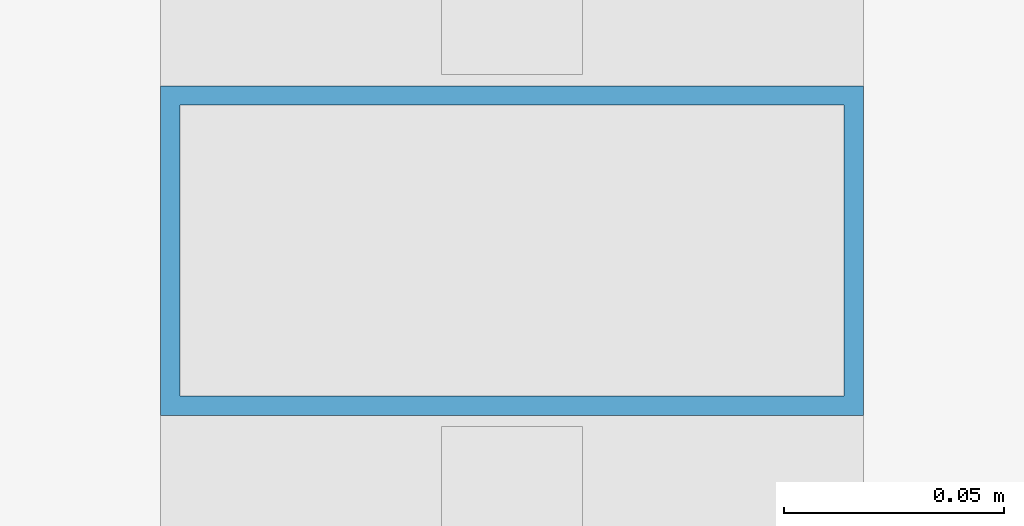
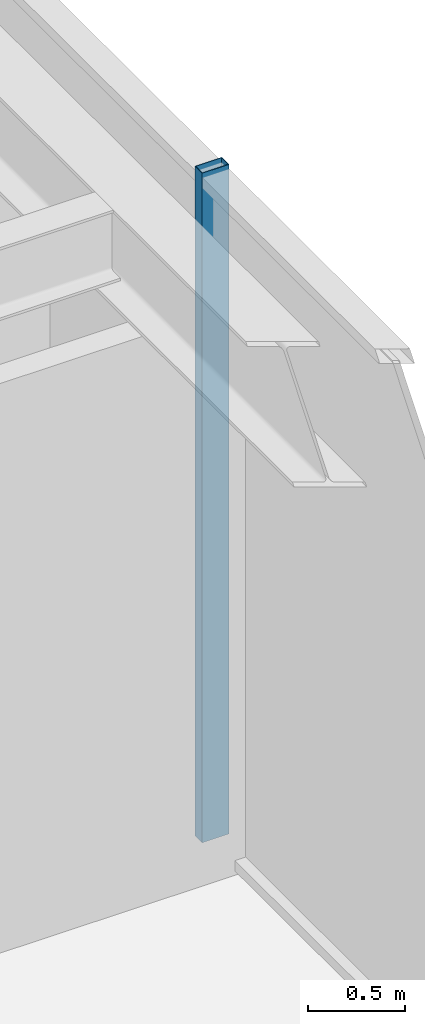
# One storey, part 24 of 47: 1 member, 1 element without a shape of its own.
"""IFC4 building model written with IfcOpenShell, lengths in metres."""

from ifc_helpers import new_model, si_unit, direction, frame, origin, origin_2d, place, context, subcontext, project, spatial, hollow_rectangle, extrude, material, material_profile, profile_set, type_object, element, aggregate, save


model = new_model("IFC4")

# Units and contexts
model_context = context("Model", 3, precision=1e-05, world=origin(), true_north=direction((0.0, 1.0)))
body_context = subcontext(model_context, "Body", "Model", "MODEL_VIEW")
ifc_project = project(units=[si_unit("LENGTHUNIT", "METRE"), si_unit("AREAUNIT", "SQUARE_METRE"), si_unit("VOLUMEUNIT", "CUBIC_METRE"), si_unit("PLANEANGLEUNIT", "RADIAN"), si_unit("MASSUNIT", "GRAM", prefix="KILO")], contexts=[model_context])

# Site, building, storey
site_placement = place(None, origin())
site = spatial("IfcSite", under=ifc_project, at=site_placement, CompositionType="ELEMENT")
building_placement = place(site_placement, origin())
building = spatial("IfcBuilding", under=site, at=building_placement, Name="Kolvaren Belvedere", CompositionType="ELEMENT")
storey_placement = place(building_placement, frame((0.0, 0.0, 5.5)))
storey = spatial("IfcBuildingStorey", under=building, at=storey_placement, Name="L02", CompositionType="ELEMENT", Elevation=5.5)

# Curtain wall, member
ifc_material_1 = material(Name="Anodised pale-metal aluminium AA 6063-T6", Category="aluminium")
curtain_wall_type = type_object("IfcCurtainWallType", Name="CW-POD-A", PredefinedType="NOTDEFINED", material=ifc_material_1)
curtain_wall_placement = place(storey_placement, origin())
curtain_wall = element("IfcCurtainWall", 1, at=curtain_wall_placement, inside=storey, type_object=curtain_wall_type, Name="L02 Unitised Curtain Wall FCW-L02-SEG6", PredefinedType="NOTDEFINED")
ifc_material_2 = material(Name="Anodised pale-metal aluminium AA 6063-T6", Category="aluminium")
ifc_material_profile = material_profile(ifc_material_2, hollow_rectangle(XDim=0.074951171875, YDim=0.159912109375, WallThickness=0.00439453125, at=origin_2d()), Name="ALU-MUL-160X75")
ifc_profile_set = profile_set([ifc_material_profile], Name="Anodised pale-metal aluminium AA 6063-T6")
member_type = type_object("IfcMemberType", Name="CW-MUL-160", PredefinedType="MULLION", material=ifc_profile_set)
member_placement = place(storey_placement, frame((27.8798828125, 0.0, 0.0), z_axis=(0.0, 0.0, 1.0), x_axis=(0.0, 1.0, 0.0)))
member = element("IfcMember", 2, at=member_placement, type_object=member_type, Name="FCW-L02-SEG6 Unitised Mullion 3", PredefinedType="MULLION", context=body_context, shape_type="SweptSolid", body=[
    extrude(hollow_rectangle(XDim=0.074951171875, YDim=0.159912109375, WallThickness=0.00439453125, at=origin_2d()), origin(), (0.0, 0.0, 1.0), 4.219970703125),
])
aggregate(curtain_wall, [member])

save(model, "model.ifc")
